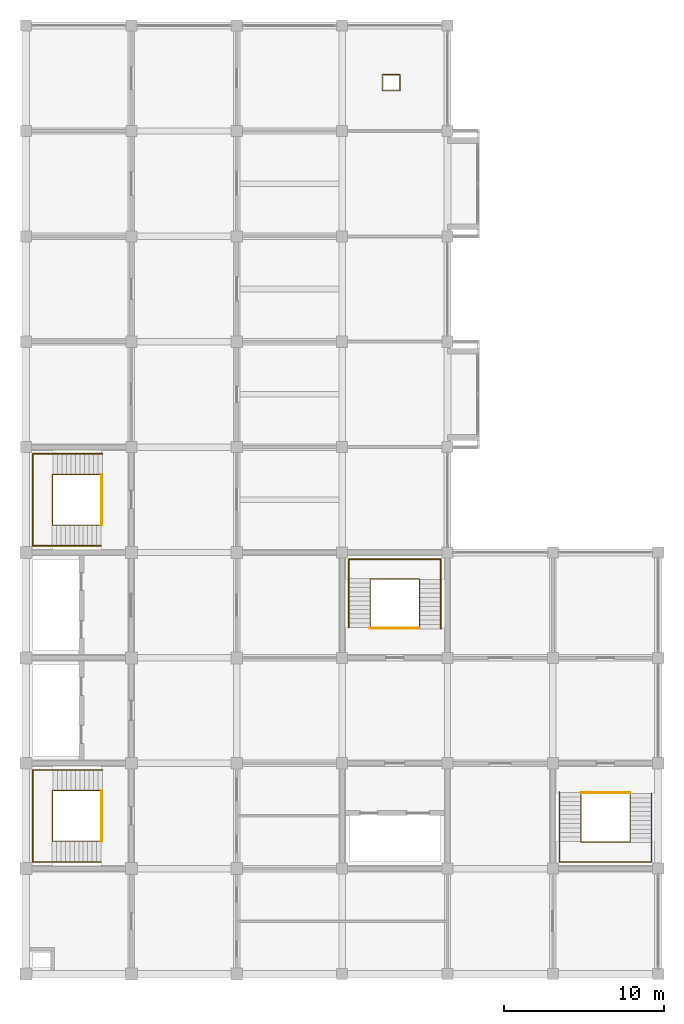
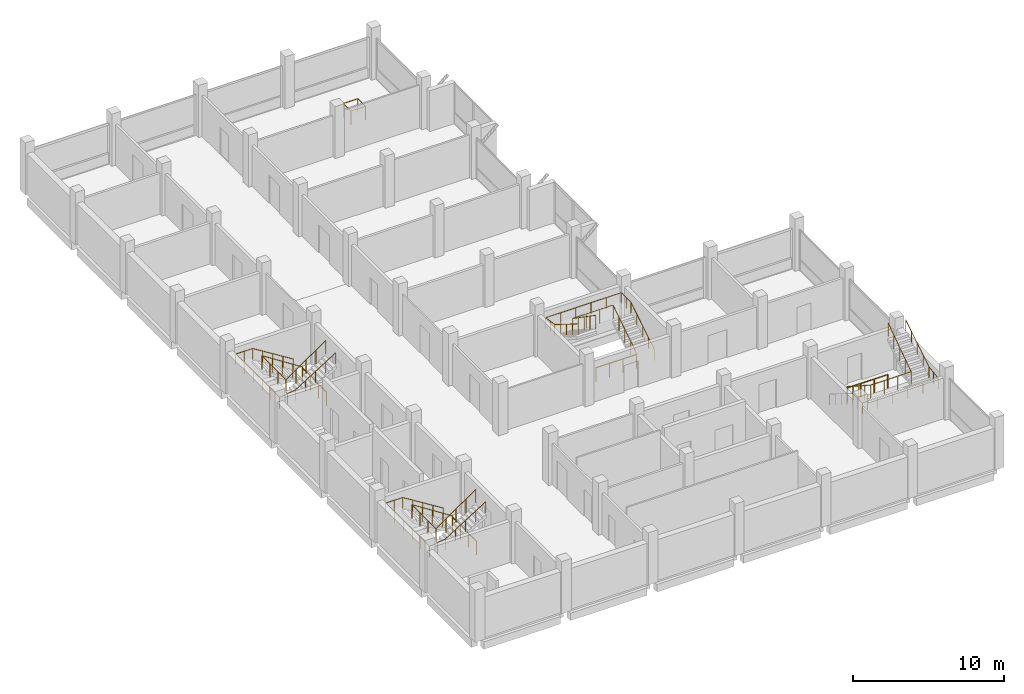
# One storey, part 10 of 10: 13 railings.
"""IFC4 building model written with IfcOpenShell, lengths in metres."""

from ifc_helpers import new_model, si_unit, direction, frame, origin, origin_2d, place, context, subcontext, project, spatial, circle, extrude, material, type_object, element, save


model = new_model("IFC4")

# Units and contexts
model_context = context("Model", 3, precision=1e-05, world=origin(), true_north=direction((0.0, 1.0)))
body_context = subcontext(model_context, "Body", "Model", "MODEL_VIEW")
ifc_project = project(units=[si_unit("LENGTHUNIT", "METRE"), si_unit("AREAUNIT", "SQUARE_METRE"), si_unit("VOLUMEUNIT", "CUBIC_METRE"), si_unit("PLANEANGLEUNIT", "RADIAN"), si_unit("MASSUNIT", "GRAM", prefix="KILO")], contexts=[model_context])

# Site, building, storey
site_placement = place(None, origin())
site = spatial("IfcSite", under=ifc_project, at=site_placement, CompositionType="ELEMENT")
building_placement = place(site_placement, origin())
building = spatial("IfcBuilding", under=site, at=building_placement, Name="Rusizi Kubbe Research Institute", CompositionType="ELEMENT")
storey_placement = place(building_placement, frame((0.0, 0.0, 48.0)))
storey = spatial("IfcBuildingStorey", under=building, at=storey_placement, Name="L11", CompositionType="ELEMENT", Elevation=48.0)

# Railings
ifc_material_1 = material(Name="Painted Steel Stair Guard", Category="steel")
railing_type_1 = type_object("IfcRailingType", Name="GR-STAIR", PredefinedType="GUARDRAIL", material=ifc_material_1)
railing_1_placement = place(storey_placement, frame((4.780029296875, 11.489990234375, 0.08740234375)))
element("IfcRailing", 1, at=railing_1_placement, inside=storey, type_object=railing_type_1, Name="Stair Inner Well Guard ST1 L11", PredefinedType="GUARDRAIL", context=body_context, shape_type="SweptSolid", body=[
    extrude(circle(Radius=0.02392578125, at=origin_2d()), frame((0.0, 0.0, 1.09619140625), z_axis=(-0.840331431664, 0.0, 0.542072951693), x_axis=(0.0, -1.0, 0.0)), (0.0, 0.0, 1.0), 3.712890625),
    extrude(circle(Radius=0.02392578125, at=origin_2d()), frame((-3.1201171875, 0.0, 3.10888671875), z_axis=(0.0, -1.0, 0.0), x_axis=(1.0, 0.0, 0.0)), (0.0, 0.0, 1.0), 3.179931640625),
    extrude(circle(Radius=0.02392578125, at=origin_2d()), frame((-3.1201171875, -3.179931640625, 3.10888671875), z_axis=(0.822798317177, 0.0, 0.568333466595), x_axis=(0.0, 1.0, 0.0)), (0.0, 0.0, 1.0), 3.69482421875),
    extrude(circle(Radius=0.02099609375, at=origin_2d()), origin(), (0.0, 0.0, 1.0), 1.072021484375),
    extrude(circle(Radius=0.02099609375, at=origin_2d()), frame((-0.780029296875, 0.0, 0.503173828125)), (0.0, 0.0, 1.0), 1.072021484375),
    extrude(circle(Radius=0.02099609375, at=origin_2d()), frame((-1.56005859375, 0.0, 1.00634765625)), (0.0, 0.0, 1.0), 1.072021484375),
    extrude(circle(Radius=0.02099609375, at=origin_2d()), frame((-2.340087890625, 0.0, 1.509521484375)), (0.0, 0.0, 1.0), 1.072021484375),
    extrude(circle(Radius=0.02099609375, at=origin_2d()), frame((-3.1201171875, 0.0, 2.0126953125)), (0.0, 0.0, 1.0), 1.072021484375),
    extrude(circle(Radius=0.02099609375, at=origin_2d()), frame((-3.1201171875, -1.06005859375, 2.0126953125)), (0.0, 0.0, 1.0), 1.072021484375),
    extrude(circle(Radius=0.02099609375, at=origin_2d()), frame((-3.1201171875, -2.119873046875, 2.0126953125)), (0.0, 0.0, 1.0), 1.072021484375),
    extrude(circle(Radius=0.02099609375, at=origin_2d()), frame((-3.1201171875, -3.179931640625, 2.0126953125)), (0.0, 0.0, 1.0), 1.072021484375),
    extrude(circle(Radius=0.02099609375, at=origin_2d()), frame((-2.360107421875, -3.179931640625, 2.53759765625)), (0.0, 0.0, 1.0), 1.072021484375),
    extrude(circle(Radius=0.02099609375, at=origin_2d()), frame((-1.60009765625, -3.179931640625, 3.0625)), (0.0, 0.0, 1.0), 1.072021484375),
    extrude(circle(Radius=0.02099609375, at=origin_2d()), frame((-0.840087890625, -3.179931640625, 3.587646484375)), (0.0, 0.0, 1.0), 1.072021484375),
    extrude(circle(Radius=0.02099609375, at=origin_2d()), frame((-0.080078125, -3.179931640625, 4.112548828125)), (0.0, 0.0, 1.0), 1.072021484375),
])
railing_2_placement = place(storey_placement, frame((4.75, 11.489990234375, 0.0)))
element("IfcRailing", 2, at=railing_2_placement, inside=storey, type_object=railing_type_1, Name="Stair Floor Edge Guard ST1 L11", PredefinedType="GUARDRAIL", context=body_context, shape_type="SweptSolid", body=[
    extrude(circle(Radius=0.02392578125, at=origin_2d()), frame((0.0, 0.0, 1.09619140625), z_axis=(0.0, -1.0, 0.0), x_axis=(1.0, 0.0, 0.0)), (0.0, 0.0, 1.0), 3.179931640625),
    extrude(circle(Radius=0.02099609375, at=origin_2d()), origin(), (0.0, 0.0, 1.0), 1.072021484375),
    extrude(circle(Radius=0.02099609375, at=origin_2d()), frame((0.0, -1.06005859375, 0.0)), (0.0, 0.0, 1.0), 1.072021484375),
    extrude(circle(Radius=0.02099609375, at=origin_2d()), frame((0.0, -2.119873046875, 0.0)), (0.0, 0.0, 1.0), 1.072021484375),
    extrude(circle(Radius=0.02099609375, at=origin_2d()), frame((0.0, -3.179931640625, 0.0)), (0.0, 0.0, 1.0), 1.072021484375),
])
railing_3_placement = place(storey_placement, frame((4.780029296875, 31.2900390625, 0.08740234375)))
element("IfcRailing", 3, at=railing_3_placement, inside=storey, type_object=railing_type_1, Name="Stair Inner Well Guard ST2 L11", PredefinedType="GUARDRAIL", context=body_context, shape_type="SweptSolid", body=[
    extrude(circle(Radius=0.02392578125, at=origin_2d()), frame((0.0, 0.0, 1.09619140625), z_axis=(-0.840331431664, 0.0, 0.542072951693), x_axis=(0.0, -1.0, 0.0)), (0.0, 0.0, 1.0), 3.712890625),
    extrude(circle(Radius=0.02392578125, at=origin_2d()), frame((-3.1201171875, 0.0, 3.10888671875), z_axis=(0.0, -1.0, 0.0), x_axis=(1.0, 0.0, 0.0)), (0.0, 0.0, 1.0), 3.179931640625),
    extrude(circle(Radius=0.02392578125, at=origin_2d()), frame((-3.1201171875, -3.179931640625, 3.10888671875), z_axis=(0.822798317177, 0.0, 0.568333466595), x_axis=(0.0, 1.0, 0.0)), (0.0, 0.0, 1.0), 3.69482421875),
    extrude(circle(Radius=0.02099609375, at=origin_2d()), origin(), (0.0, 0.0, 1.0), 1.072021484375),
    extrude(circle(Radius=0.02099609375, at=origin_2d()), frame((-0.780029296875, 0.0, 0.503173828125)), (0.0, 0.0, 1.0), 1.072021484375),
    extrude(circle(Radius=0.02099609375, at=origin_2d()), frame((-1.56005859375, 0.0, 1.00634765625)), (0.0, 0.0, 1.0), 1.072021484375),
    extrude(circle(Radius=0.02099609375, at=origin_2d()), frame((-2.340087890625, 0.0, 1.509521484375)), (0.0, 0.0, 1.0), 1.072021484375),
    extrude(circle(Radius=0.02099609375, at=origin_2d()), frame((-3.1201171875, 0.0, 2.0126953125)), (0.0, 0.0, 1.0), 1.072021484375),
    extrude(circle(Radius=0.02099609375, at=origin_2d()), frame((-3.1201171875, -1.06005859375, 2.0126953125)), (0.0, 0.0, 1.0), 1.072021484375),
    extrude(circle(Radius=0.02099609375, at=origin_2d()), frame((-3.1201171875, -2.119873046875, 2.0126953125)), (0.0, 0.0, 1.0), 1.072021484375),
    extrude(circle(Radius=0.02099609375, at=origin_2d()), frame((-3.1201171875, -3.179931640625, 2.0126953125)), (0.0, 0.0, 1.0), 1.072021484375),
    extrude(circle(Radius=0.02099609375, at=origin_2d()), frame((-2.360107421875, -3.179931640625, 2.53759765625)), (0.0, 0.0, 1.0), 1.072021484375),
    extrude(circle(Radius=0.02099609375, at=origin_2d()), frame((-1.60009765625, -3.179931640625, 3.0625)), (0.0, 0.0, 1.0), 1.072021484375),
    extrude(circle(Radius=0.02099609375, at=origin_2d()), frame((-0.840087890625, -3.179931640625, 3.587646484375)), (0.0, 0.0, 1.0), 1.072021484375),
    extrude(circle(Radius=0.02099609375, at=origin_2d()), frame((-0.080078125, -3.179931640625, 4.112548828125)), (0.0, 0.0, 1.0), 1.072021484375),
])
railing_4_placement = place(storey_placement, frame((4.75, 31.2900390625, 0.0)))
element("IfcRailing", 4, at=railing_4_placement, inside=storey, type_object=railing_type_1, Name="Stair Floor Edge Guard ST2 L11", PredefinedType="GUARDRAIL", context=body_context, shape_type="SweptSolid", body=[
    extrude(circle(Radius=0.02392578125, at=origin_2d()), frame((0.0, 0.0, 1.09619140625), z_axis=(0.0, -1.0, 0.0), x_axis=(1.0, 0.0, 0.0)), (0.0, 0.0, 1.0), 3.179931640625),
    extrude(circle(Radius=0.02099609375, at=origin_2d()), origin(), (0.0, 0.0, 1.0), 1.072021484375),
    extrude(circle(Radius=0.02099609375, at=origin_2d()), frame((0.0, -1.06005859375, 0.0)), (0.0, 0.0, 1.0), 1.072021484375),
    extrude(circle(Radius=0.02099609375, at=origin_2d()), frame((0.0, -2.119873046875, 0.0)), (0.0, 0.0, 1.0), 1.072021484375),
    extrude(circle(Radius=0.02099609375, at=origin_2d()), frame((0.0, -3.179931640625, 0.0)), (0.0, 0.0, 1.0), 1.072021484375),
])
railing_5_placement = place(storey_placement, frame((24.639892578125, 21.6201171875, 0.08740234375)))
element("IfcRailing", 5, at=railing_5_placement, inside=storey, type_object=railing_type_1, Name="Stair Inner Well Guard ST3 L11", PredefinedType="GUARDRAIL", context=body_context, shape_type="SweptSolid", body=[
    extrude(circle(Radius=0.02392578125, at=origin_2d()), frame((0.0, 0.0, 1.09619140625), z_axis=(0.0, 0.840312108812, 0.542102905161), x_axis=(-1.0, 0.0, 0.0)), (0.0, 0.0, 1.0), 3.712646484375),
    extrude(circle(Radius=0.02392578125, at=origin_2d()), frame((0.0, 3.119873046875, 3.10888671875), z_axis=(-1.0, 0.0, 0.0), x_axis=(0.0, -1.0, 0.0)), (0.0, 0.0, 1.0), 3.079833984375),
    extrude(circle(Radius=0.02392578125, at=origin_2d()), frame((-3.079833984375, 3.119873046875, 3.10888671875), z_axis=(0.0, -0.822798317177, 0.568333466595), x_axis=(1.0, 0.0, 0.0)), (0.0, 0.0, 1.0), 3.69482421875),
    extrude(circle(Radius=0.02099609375, at=origin_2d()), origin(), (0.0, 0.0, 1.0), 1.072021484375),
    extrude(circle(Radius=0.02099609375, at=origin_2d()), frame((0.0, 0.780029296875, 0.503173828125)), (0.0, 0.0, 1.0), 1.072021484375),
    extrude(circle(Radius=0.02099609375, at=origin_2d()), frame((0.0, 1.56005859375, 1.00634765625)), (0.0, 0.0, 1.0), 1.072021484375),
    extrude(circle(Radius=0.02099609375, at=origin_2d()), frame((0.0, 2.33984375, 1.509521484375)), (0.0, 0.0, 1.0), 1.072021484375),
    extrude(circle(Radius=0.02099609375, at=origin_2d()), frame((0.0, 3.119873046875, 2.0126953125)), (0.0, 0.0, 1.0), 1.072021484375),
    extrude(circle(Radius=0.02099609375, at=origin_2d()), frame((-1.026611328125, 3.119873046875, 2.0126953125)), (0.0, 0.0, 1.0), 1.072021484375),
    extrude(circle(Radius=0.02099609375, at=origin_2d()), frame((-2.05322265625, 3.119873046875, 2.0126953125)), (0.0, 0.0, 1.0), 1.072021484375),
    extrude(circle(Radius=0.02099609375, at=origin_2d()), frame((-3.079833984375, 3.119873046875, 2.0126953125)), (0.0, 0.0, 1.0), 1.072021484375),
    extrude(circle(Radius=0.02099609375, at=origin_2d()), frame((-3.079833984375, 2.35986328125, 2.53759765625)), (0.0, 0.0, 1.0), 1.072021484375),
    extrude(circle(Radius=0.02099609375, at=origin_2d()), frame((-3.079833984375, 1.599853515625, 3.0625)), (0.0, 0.0, 1.0), 1.072021484375),
    extrude(circle(Radius=0.02099609375, at=origin_2d()), frame((-3.079833984375, 0.83984375, 3.587646484375)), (0.0, 0.0, 1.0), 1.072021484375),
    extrude(circle(Radius=0.02099609375, at=origin_2d()), frame((-3.079833984375, 0.079833984375, 4.112548828125)), (0.0, 0.0, 1.0), 1.072021484375),
])
railing_6_placement = place(storey_placement, frame((24.639892578125, 21.64990234375, 0.0)))
element("IfcRailing", 6, at=railing_6_placement, inside=storey, type_object=railing_type_1, Name="Stair Floor Edge Guard ST3 L11", PredefinedType="GUARDRAIL", context=body_context, shape_type="SweptSolid", body=[
    extrude(circle(Radius=0.02392578125, at=origin_2d()), frame((0.0, 0.0, 1.09619140625), z_axis=(-1.0, 0.0, 0.0), x_axis=(0.0, -1.0, 0.0)), (0.0, 0.0, 1.0), 3.079833984375),
    extrude(circle(Radius=0.02099609375, at=origin_2d()), origin(), (0.0, 0.0, 1.0), 1.072021484375),
    extrude(circle(Radius=0.02099609375, at=origin_2d()), frame((-1.026611328125, 0.0, 0.0)), (0.0, 0.0, 1.0), 1.072021484375),
    extrude(circle(Radius=0.02099609375, at=origin_2d()), frame((-2.05322265625, 0.0, 0.0)), (0.0, 0.0, 1.0), 1.072021484375),
    extrude(circle(Radius=0.02099609375, at=origin_2d()), frame((-3.079833984375, 0.0, 0.0)), (0.0, 0.0, 1.0), 1.072021484375),
])
railing_7_placement = place(storey_placement, frame((34.760009765625, 11.3798828125, 0.08740234375)))
element("IfcRailing", 7, at=railing_7_placement, inside=storey, type_object=railing_type_1, Name="Stair Inner Well Guard ST4 L11", PredefinedType="GUARDRAIL", context=body_context, shape_type="SweptSolid", body=[
    extrude(circle(Radius=0.02392578125, at=origin_2d()), frame((0.0, 0.0, 1.09619140625), z_axis=(0.0, -0.840312108812, 0.542102905161), x_axis=(1.0, 0.0, 0.0)), (0.0, 0.0, 1.0), 3.712646484375),
    extrude(circle(Radius=0.02392578125, at=origin_2d()), frame((0.0, -3.119873046875, 3.10888671875), z_axis=(1.0, 0.0, 0.0), x_axis=(0.0, 1.0, 0.0)), (0.0, 0.0, 1.0), 3.080078125),
    extrude(circle(Radius=0.02392578125, at=origin_2d()), frame((3.080078125, -3.119873046875, 3.10888671875), z_axis=(0.0, 0.822798317177, 0.568333466595), x_axis=(-1.0, 0.0, 0.0)), (0.0, 0.0, 1.0), 3.69482421875),
    extrude(circle(Radius=0.02099609375, at=origin_2d()), origin(), (0.0, 0.0, 1.0), 1.072021484375),
    extrude(circle(Radius=0.02099609375, at=origin_2d()), frame((0.0, -0.780029296875, 0.503173828125)), (0.0, 0.0, 1.0), 1.072021484375),
    extrude(circle(Radius=0.02099609375, at=origin_2d()), frame((0.0, -1.56005859375, 1.00634765625)), (0.0, 0.0, 1.0), 1.072021484375),
    extrude(circle(Radius=0.02099609375, at=origin_2d()), frame((0.0, -2.33984375, 1.509521484375)), (0.0, 0.0, 1.0), 1.072021484375),
    extrude(circle(Radius=0.02099609375, at=origin_2d()), frame((0.0, -3.119873046875, 2.0126953125)), (0.0, 0.0, 1.0), 1.072021484375),
    extrude(circle(Radius=0.02099609375, at=origin_2d()), frame((1.026611328125, -3.119873046875, 2.0126953125)), (0.0, 0.0, 1.0), 1.072021484375),
    extrude(circle(Radius=0.02099609375, at=origin_2d()), frame((2.053466796875, -3.119873046875, 2.0126953125)), (0.0, 0.0, 1.0), 1.072021484375),
    extrude(circle(Radius=0.02099609375, at=origin_2d()), frame((3.080078125, -3.119873046875, 2.0126953125)), (0.0, 0.0, 1.0), 1.072021484375),
    extrude(circle(Radius=0.02099609375, at=origin_2d()), frame((3.080078125, -2.35986328125, 2.53759765625)), (0.0, 0.0, 1.0), 1.072021484375),
    extrude(circle(Radius=0.02099609375, at=origin_2d()), frame((3.080078125, -1.599853515625, 3.0625)), (0.0, 0.0, 1.0), 1.072021484375),
    extrude(circle(Radius=0.02099609375, at=origin_2d()), frame((3.080078125, -0.83984375, 3.587646484375)), (0.0, 0.0, 1.0), 1.072021484375),
    extrude(circle(Radius=0.02099609375, at=origin_2d()), frame((3.080078125, -0.079833984375, 4.112548828125)), (0.0, 0.0, 1.0), 1.072021484375),
])
railing_8_placement = place(storey_placement, frame((34.760009765625, 11.35009765625, 0.0)))
element("IfcRailing", 8, at=railing_8_placement, inside=storey, type_object=railing_type_1, Name="Stair Floor Edge Guard ST4 L11", PredefinedType="GUARDRAIL", context=body_context, shape_type="SweptSolid", body=[
    extrude(circle(Radius=0.02392578125, at=origin_2d()), frame((0.0, 0.0, 1.09619140625), z_axis=(1.0, 0.0, 0.0), x_axis=(0.0, 1.0, 0.0)), (0.0, 0.0, 1.0), 3.080078125),
    extrude(circle(Radius=0.02099609375, at=origin_2d()), origin(), (0.0, 0.0, 1.0), 1.072021484375),
    extrude(circle(Radius=0.02099609375, at=origin_2d()), frame((1.026611328125, 0.0, 0.0)), (0.0, 0.0, 1.0), 1.072021484375),
    extrude(circle(Radius=0.02099609375, at=origin_2d()), frame((2.053466796875, 0.0, 0.0)), (0.0, 0.0, 1.0), 1.072021484375),
    extrude(circle(Radius=0.02099609375, at=origin_2d()), frame((3.080078125, 0.0, 0.0)), (0.0, 0.0, 1.0), 1.072021484375),
])
railing_9_placement = place(storey_placement, frame((22.320068359375, 55.320068359375, 0.0)))
element("IfcRailing", 9, at=railing_9_placement, inside=storey, type_object=railing_type_1, Name="Service Riser Guard L11 NORTHA", PredefinedType="GUARDRAIL", context=body_context, shape_type="SweptSolid", body=[
    extrude(circle(Radius=0.02392578125, at=origin_2d()), frame((0.0, 0.0, 1.09619140625), z_axis=(1.0, 0.0, 0.0), x_axis=(0.0, 1.0, 0.0)), (0.0, 0.0, 1.0), 1.10986328125),
    extrude(circle(Radius=0.02392578125, at=origin_2d()), frame((1.10986328125, 0.0, 1.09619140625), z_axis=(0.0, 1.0, 0.0), x_axis=(-1.0, 0.0, 0.0)), (0.0, 0.0, 1.0), 1.010009765625),
    extrude(circle(Radius=0.02392578125, at=origin_2d()), frame((1.10986328125, 1.010009765625, 1.09619140625), z_axis=(-1.0, 0.0, 0.0), x_axis=(0.0, -1.0, 0.0)), (0.0, 0.0, 1.0), 1.10986328125),
    extrude(circle(Radius=0.02392578125, at=origin_2d()), frame((0.0, 1.010009765625, 1.09619140625), z_axis=(0.0, -1.0, 0.0), x_axis=(1.0, 0.0, 0.0)), (0.0, 0.0, 1.0), 1.010009765625),
    extrude(circle(Radius=0.02099609375, at=origin_2d()), origin(), (0.0, 0.0, 1.0), 1.072021484375),
    extrude(circle(Radius=0.02099609375, at=origin_2d()), frame((1.10986328125, 0.0, 0.0)), (0.0, 0.0, 1.0), 1.072021484375),
    extrude(circle(Radius=0.02099609375, at=origin_2d()), frame((1.10986328125, 1.010009765625, 0.0)), (0.0, 0.0, 1.0), 1.072021484375),
    extrude(circle(Radius=0.02099609375, at=origin_2d()), frame((0.0, 1.010009765625, 0.0)), (0.0, 0.0, 1.0), 1.072021484375),
])
ifc_material_2 = material(Name="Brushed Stainless Steel Handrail", Category="steel")
railing_type_2 = type_object("IfcRailingType", Name="HR-STAIR", PredefinedType="HANDRAIL", material=ifc_material_2)
railing_10_placement = place(storey_placement, frame((4.780029296875, 12.780029296875, 0.175048828125)))
element("IfcRailing", 10, at=railing_10_placement, inside=storey, type_object=railing_type_2, Name="Stair Wall Handrail ST1 L11", PredefinedType="HANDRAIL", context=body_context, shape_type="SweptSolid", body=[
    extrude(circle(Radius=0.02392578125, at=origin_2d()), frame((0.0, 0.0, 0.8759765625), z_axis=(-0.847998304005, 0.0, 0.529998940003), x_axis=(0.0, -1.0, 0.0)), (0.0, 0.0, 1.0), 3.632080078125),
    extrude(circle(Radius=0.02392578125, at=origin_2d()), frame((-3.080078125, 0.0, 2.80078125), z_axis=(-1.0, 0.0, 0.0), x_axis=(0.0, -1.0, 0.0)), (0.0, 0.0, 1.0), 1.280029296875),
    extrude(circle(Radius=0.02392578125, at=origin_2d()), frame((-4.360107421875, 0.0, 2.80078125), z_axis=(0.0, -1.0, 0.0), x_axis=(1.0, 0.0, 0.0)), (0.0, 0.0, 1.0), 5.760009765625),
    extrude(circle(Radius=0.02392578125, at=origin_2d()), frame((-4.360107421875, -5.760009765625, 2.80078125), z_axis=(0.98965895042, 0.0, 0.143440447065), x_axis=(0.0, 1.0, 0.0)), (0.0, 0.0, 1.0), 1.21875),
    extrude(circle(Radius=0.02392578125, at=origin_2d()), frame((-3.154052734375, -5.760009765625, 2.9755859375), z_axis=(0.847525270172, 0.0, 0.530755043706), x_axis=(0.0, 1.0, 0.0)), (0.0, 0.0, 1.0), 3.626953125),
    extrude(circle(Radius=0.02099609375, at=origin_2d()), origin(), (0.0, 0.0, 1.0), 0.851806640625),
    extrude(circle(Radius=0.02099609375, at=origin_2d()), frame((-0.77001953125, 0.0, 0.481201171875)), (0.0, 0.0, 1.0), 0.851806640625),
    extrude(circle(Radius=0.02099609375, at=origin_2d()), frame((-1.5400390625, 0.0, 0.96240234375)), (0.0, 0.0, 1.0), 0.851806640625),
    extrude(circle(Radius=0.02099609375, at=origin_2d()), frame((-2.31005859375, 0.0, 1.44384765625)), (0.0, 0.0, 1.0), 0.851806640625),
    extrude(circle(Radius=0.02099609375, at=origin_2d()), frame((-3.080078125, 0.0, 1.925048828125)), (0.0, 0.0, 1.0), 0.851806640625),
    extrude(circle(Radius=0.02099609375, at=origin_2d()), frame((-3.72021484375, 0.0, 1.925048828125)), (0.0, 0.0, 1.0), 0.851806640625),
    extrude(circle(Radius=0.02099609375, at=origin_2d()), frame((-4.360107421875, 0.0, 1.925048828125)), (0.0, 0.0, 1.0), 0.851806640625),
    extrude(circle(Radius=0.02099609375, at=origin_2d()), frame((-4.360107421875, -1.152099609375, 1.925048828125)), (0.0, 0.0, 1.0), 0.851806640625),
    extrude(circle(Radius=0.02099609375, at=origin_2d()), frame((-4.360107421875, -2.303955078125, 1.925048828125)), (0.0, 0.0, 1.0), 0.851806640625),
    extrude(circle(Radius=0.02099609375, at=origin_2d()), frame((-4.360107421875, -3.4560546875, 1.925048828125)), (0.0, 0.0, 1.0), 0.851806640625),
    extrude(circle(Radius=0.02099609375, at=origin_2d()), frame((-4.360107421875, -4.60791015625, 1.925048828125)), (0.0, 0.0, 1.0), 0.851806640625),
    extrude(circle(Radius=0.02099609375, at=origin_2d()), frame((-4.360107421875, -5.760009765625, 1.925048828125)), (0.0, 0.0, 1.0), 0.851806640625),
    extrude(circle(Radius=0.02099609375, at=origin_2d()), frame((-3.757080078125, -5.760009765625, 2.012451171875)), (0.0, 0.0, 1.0), 0.851806640625),
    extrude(circle(Radius=0.02099609375, at=origin_2d()), frame((-3.154052734375, -5.760009765625, 2.099853515625)), (0.0, 0.0, 1.0), 0.851806640625),
    extrude(circle(Radius=0.02099609375, at=origin_2d()), frame((-2.385498046875, -5.760009765625, 2.5810546875)), (0.0, 0.0, 1.0), 0.851806640625),
    extrude(circle(Radius=0.02099609375, at=origin_2d()), frame((-1.6171875, -5.760009765625, 3.0625)), (0.0, 0.0, 1.0), 0.851806640625),
    extrude(circle(Radius=0.02099609375, at=origin_2d()), frame((-0.8486328125, -5.760009765625, 3.543701171875)), (0.0, 0.0, 1.0), 0.851806640625),
    extrude(circle(Radius=0.02099609375, at=origin_2d()), frame((-0.080078125, -5.760009765625, 4.02490234375)), (0.0, 0.0, 1.0), 0.851806640625),
])
railing_11_placement = place(storey_placement, frame((4.780029296875, 32.580078125, 0.175048828125)))
element("IfcRailing", 11, at=railing_11_placement, inside=storey, type_object=railing_type_2, Name="Stair Wall Handrail ST2 L11", PredefinedType="HANDRAIL", context=body_context, shape_type="SweptSolid", body=[
    extrude(circle(Radius=0.02392578125, at=origin_2d()), frame((0.0, 0.0, 0.8759765625), z_axis=(-0.847998304005, 0.0, 0.529998940003), x_axis=(0.0, -1.0, 0.0)), (0.0, 0.0, 1.0), 3.632080078125),
    extrude(circle(Radius=0.02392578125, at=origin_2d()), frame((-3.080078125, 0.0, 2.80078125), z_axis=(-1.0, 0.0, 0.0), x_axis=(0.0, -1.0, 0.0)), (0.0, 0.0, 1.0), 1.280029296875),
    extrude(circle(Radius=0.02392578125, at=origin_2d()), frame((-4.360107421875, 0.0, 2.80078125), z_axis=(0.0, -1.0, 0.0), x_axis=(1.0, 0.0, 0.0)), (0.0, 0.0, 1.0), 5.760009765625),
    extrude(circle(Radius=0.02392578125, at=origin_2d()), frame((-4.360107421875, -5.760009765625, 2.80078125), z_axis=(0.98965895042, 0.0, 0.143440447065), x_axis=(0.0, 1.0, 0.0)), (0.0, 0.0, 1.0), 1.21875),
    extrude(circle(Radius=0.02392578125, at=origin_2d()), frame((-3.154052734375, -5.760009765625, 2.9755859375), z_axis=(0.847525270172, 0.0, 0.530755043706), x_axis=(0.0, 1.0, 0.0)), (0.0, 0.0, 1.0), 3.626953125),
    extrude(circle(Radius=0.02099609375, at=origin_2d()), origin(), (0.0, 0.0, 1.0), 0.851806640625),
    extrude(circle(Radius=0.02099609375, at=origin_2d()), frame((-0.77001953125, 0.0, 0.481201171875)), (0.0, 0.0, 1.0), 0.851806640625),
    extrude(circle(Radius=0.02099609375, at=origin_2d()), frame((-1.5400390625, 0.0, 0.96240234375)), (0.0, 0.0, 1.0), 0.851806640625),
    extrude(circle(Radius=0.02099609375, at=origin_2d()), frame((-2.31005859375, 0.0, 1.44384765625)), (0.0, 0.0, 1.0), 0.851806640625),
    extrude(circle(Radius=0.02099609375, at=origin_2d()), frame((-3.080078125, 0.0, 1.925048828125)), (0.0, 0.0, 1.0), 0.851806640625),
    extrude(circle(Radius=0.02099609375, at=origin_2d()), frame((-3.72021484375, 0.0, 1.925048828125)), (0.0, 0.0, 1.0), 0.851806640625),
    extrude(circle(Radius=0.02099609375, at=origin_2d()), frame((-4.360107421875, 0.0, 1.925048828125)), (0.0, 0.0, 1.0), 0.851806640625),
    extrude(circle(Radius=0.02099609375, at=origin_2d()), frame((-4.360107421875, -1.152099609375, 1.925048828125)), (0.0, 0.0, 1.0), 0.851806640625),
    extrude(circle(Radius=0.02099609375, at=origin_2d()), frame((-4.360107421875, -2.303955078125, 1.925048828125)), (0.0, 0.0, 1.0), 0.851806640625),
    extrude(circle(Radius=0.02099609375, at=origin_2d()), frame((-4.360107421875, -3.4560546875, 1.925048828125)), (0.0, 0.0, 1.0), 0.851806640625),
    extrude(circle(Radius=0.02099609375, at=origin_2d()), frame((-4.360107421875, -4.60791015625, 1.925048828125)), (0.0, 0.0, 1.0), 0.851806640625),
    extrude(circle(Radius=0.02099609375, at=origin_2d()), frame((-4.360107421875, -5.760009765625, 1.925048828125)), (0.0, 0.0, 1.0), 0.851806640625),
    extrude(circle(Radius=0.02099609375, at=origin_2d()), frame((-3.757080078125, -5.760009765625, 2.012451171875)), (0.0, 0.0, 1.0), 0.851806640625),
    extrude(circle(Radius=0.02099609375, at=origin_2d()), frame((-3.154052734375, -5.760009765625, 2.099853515625)), (0.0, 0.0, 1.0), 0.851806640625),
    extrude(circle(Radius=0.02099609375, at=origin_2d()), frame((-2.385498046875, -5.760009765625, 2.5810546875)), (0.0, 0.0, 1.0), 0.851806640625),
    extrude(circle(Radius=0.02099609375, at=origin_2d()), frame((-1.6171875, -5.760009765625, 3.0625)), (0.0, 0.0, 1.0), 0.851806640625),
    extrude(circle(Radius=0.02099609375, at=origin_2d()), frame((-0.8486328125, -5.760009765625, 3.543701171875)), (0.0, 0.0, 1.0), 0.851806640625),
    extrude(circle(Radius=0.02099609375, at=origin_2d()), frame((-0.080078125, -5.760009765625, 4.02490234375)), (0.0, 0.0, 1.0), 0.851806640625),
])
railing_12_placement = place(storey_placement, frame((25.97998046875, 21.6201171875, 0.175048828125)))
element("IfcRailing", 12, at=railing_12_placement, inside=storey, type_object=railing_type_2, Name="Stair Wall Handrail ST3 L11", PredefinedType="HANDRAIL", context=body_context, shape_type="SweptSolid", body=[
    extrude(circle(Radius=0.02392578125, at=origin_2d()), frame((0.0, 0.0, 0.8759765625), z_axis=(0.0, 0.847979421464, 0.530029150871), x_axis=(-1.0, 0.0, 0.0)), (0.0, 0.0, 1.0), 3.632080078125),
    extrude(circle(Radius=0.02392578125, at=origin_2d()), frame((0.0, 3.079833984375, 2.80078125), z_axis=(0.0, 1.0, 0.0), x_axis=(-1.0, 0.0, 0.0)), (0.0, 0.0, 1.0), 1.280029296875),
    extrude(circle(Radius=0.02392578125, at=origin_2d()), frame((0.0, 4.35986328125, 2.80078125), z_axis=(-1.0, 0.0, 0.0), x_axis=(0.0, -1.0, 0.0)), (0.0, 0.0, 1.0), 5.760009765625),
    extrude(circle(Radius=0.02392578125, at=origin_2d()), frame((-5.760009765625, 4.35986328125, 2.80078125), z_axis=(0.0, -0.98965895042, 0.143440447065), x_axis=(1.0, 0.0, 0.0)), (0.0, 0.0, 1.0), 1.21875),
    extrude(circle(Radius=0.02392578125, at=origin_2d()), frame((-5.760009765625, 3.15380859375, 2.9755859375), z_axis=(0.0, -0.847525270172, 0.530755043706), x_axis=(1.0, 0.0, 0.0)), (0.0, 0.0, 1.0), 3.626953125),
    extrude(circle(Radius=0.02099609375, at=origin_2d()), origin(), (0.0, 0.0, 1.0), 0.851806640625),
    extrude(circle(Radius=0.02099609375, at=origin_2d()), frame((0.0, 0.77001953125, 0.481201171875)), (0.0, 0.0, 1.0), 0.851806640625),
    extrude(circle(Radius=0.02099609375, at=origin_2d()), frame((0.0, 1.5400390625, 0.96240234375)), (0.0, 0.0, 1.0), 0.851806640625),
    extrude(circle(Radius=0.02099609375, at=origin_2d()), frame((0.0, 2.309814453125, 1.44384765625)), (0.0, 0.0, 1.0), 0.851806640625),
    extrude(circle(Radius=0.02099609375, at=origin_2d()), frame((0.0, 3.079833984375, 1.925048828125)), (0.0, 0.0, 1.0), 0.851806640625),
    extrude(circle(Radius=0.02099609375, at=origin_2d()), frame((0.0, 3.7197265625, 1.925048828125)), (0.0, 0.0, 1.0), 0.851806640625),
    extrude(circle(Radius=0.02099609375, at=origin_2d()), frame((0.0, 4.35986328125, 1.925048828125)), (0.0, 0.0, 1.0), 0.851806640625),
    extrude(circle(Radius=0.02099609375, at=origin_2d()), frame((-1.152099609375, 4.35986328125, 1.925048828125)), (0.0, 0.0, 1.0), 0.851806640625),
    extrude(circle(Radius=0.02099609375, at=origin_2d()), frame((-2.303955078125, 4.35986328125, 1.925048828125)), (0.0, 0.0, 1.0), 0.851806640625),
    extrude(circle(Radius=0.02099609375, at=origin_2d()), frame((-3.4560546875, 4.35986328125, 1.925048828125)), (0.0, 0.0, 1.0), 0.851806640625),
    extrude(circle(Radius=0.02099609375, at=origin_2d()), frame((-4.60791015625, 4.35986328125, 1.925048828125)), (0.0, 0.0, 1.0), 0.851806640625),
    extrude(circle(Radius=0.02099609375, at=origin_2d()), frame((-5.760009765625, 4.35986328125, 1.925048828125)), (0.0, 0.0, 1.0), 0.851806640625),
    extrude(circle(Radius=0.02099609375, at=origin_2d()), frame((-5.760009765625, 3.7568359375, 2.012451171875)), (0.0, 0.0, 1.0), 0.851806640625),
    extrude(circle(Radius=0.02099609375, at=origin_2d()), frame((-5.760009765625, 3.15380859375, 2.099853515625)), (0.0, 0.0, 1.0), 0.851806640625),
    extrude(circle(Radius=0.02099609375, at=origin_2d()), frame((-5.760009765625, 2.38525390625, 2.5810546875)), (0.0, 0.0, 1.0), 0.851806640625),
    extrude(circle(Radius=0.02099609375, at=origin_2d()), frame((-5.760009765625, 1.61669921875, 3.0625)), (0.0, 0.0, 1.0), 0.851806640625),
    extrude(circle(Radius=0.02099609375, at=origin_2d()), frame((-5.760009765625, 0.848388671875, 3.543701171875)), (0.0, 0.0, 1.0), 0.851806640625),
    extrude(circle(Radius=0.02099609375, at=origin_2d()), frame((-5.760009765625, 0.079833984375, 4.02490234375)), (0.0, 0.0, 1.0), 0.851806640625),
])
railing_13_placement = place(storey_placement, frame((33.419921875, 11.3798828125, 0.175048828125)))
element("IfcRailing", 13, at=railing_13_placement, inside=storey, type_object=railing_type_2, Name="Stair Wall Handrail ST4 L11", PredefinedType="HANDRAIL", context=body_context, shape_type="SweptSolid", body=[
    extrude(circle(Radius=0.02392578125, at=origin_2d()), frame((0.0, 0.0, 0.8759765625), z_axis=(0.0, -0.847979421464, 0.530029150871), x_axis=(1.0, 0.0, 0.0)), (0.0, 0.0, 1.0), 3.632080078125),
    extrude(circle(Radius=0.02392578125, at=origin_2d()), frame((0.0, -3.079833984375, 2.80078125), z_axis=(0.0, -1.0, 0.0), x_axis=(1.0, 0.0, 0.0)), (0.0, 0.0, 1.0), 1.280029296875),
    extrude(circle(Radius=0.02392578125, at=origin_2d()), frame((0.0, -4.35986328125, 2.80078125), z_axis=(1.0, 0.0, 0.0), x_axis=(0.0, 1.0, 0.0)), (0.0, 0.0, 1.0), 5.760009765625),
    extrude(circle(Radius=0.02392578125, at=origin_2d()), frame((5.760009765625, -4.35986328125, 2.80078125), z_axis=(0.0, 0.98965895042, 0.143440447065), x_axis=(-1.0, 0.0, 0.0)), (0.0, 0.0, 1.0), 1.21875),
    extrude(circle(Radius=0.02392578125, at=origin_2d()), frame((5.760009765625, -3.15380859375, 2.9755859375), z_axis=(0.0, 0.847525270172, 0.530755043706), x_axis=(-1.0, 0.0, 0.0)), (0.0, 0.0, 1.0), 3.626953125),
    extrude(circle(Radius=0.02099609375, at=origin_2d()), origin(), (0.0, 0.0, 1.0), 0.851806640625),
    extrude(circle(Radius=0.02099609375, at=origin_2d()), frame((0.0, -0.77001953125, 0.481201171875)), (0.0, 0.0, 1.0), 0.851806640625),
    extrude(circle(Radius=0.02099609375, at=origin_2d()), frame((0.0, -1.5400390625, 0.96240234375)), (0.0, 0.0, 1.0), 0.851806640625),
    extrude(circle(Radius=0.02099609375, at=origin_2d()), frame((0.0, -2.309814453125, 1.44384765625)), (0.0, 0.0, 1.0), 0.851806640625),
    extrude(circle(Radius=0.02099609375, at=origin_2d()), frame((0.0, -3.079833984375, 1.925048828125)), (0.0, 0.0, 1.0), 0.851806640625),
    extrude(circle(Radius=0.02099609375, at=origin_2d()), frame((0.0, -3.7197265625, 1.925048828125)), (0.0, 0.0, 1.0), 0.851806640625),
    extrude(circle(Radius=0.02099609375, at=origin_2d()), frame((0.0, -4.35986328125, 1.925048828125)), (0.0, 0.0, 1.0), 0.851806640625),
    extrude(circle(Radius=0.02099609375, at=origin_2d()), frame((1.152099609375, -4.35986328125, 1.925048828125)), (0.0, 0.0, 1.0), 0.851806640625),
    extrude(circle(Radius=0.02099609375, at=origin_2d()), frame((2.303955078125, -4.35986328125, 1.925048828125)), (0.0, 0.0, 1.0), 0.851806640625),
    extrude(circle(Radius=0.02099609375, at=origin_2d()), frame((3.4560546875, -4.35986328125, 1.925048828125)), (0.0, 0.0, 1.0), 0.851806640625),
    extrude(circle(Radius=0.02099609375, at=origin_2d()), frame((4.60791015625, -4.35986328125, 1.925048828125)), (0.0, 0.0, 1.0), 0.851806640625),
    extrude(circle(Radius=0.02099609375, at=origin_2d()), frame((5.760009765625, -4.35986328125, 1.925048828125)), (0.0, 0.0, 1.0), 0.851806640625),
    extrude(circle(Radius=0.02099609375, at=origin_2d()), frame((5.760009765625, -3.7568359375, 2.012451171875)), (0.0, 0.0, 1.0), 0.851806640625),
    extrude(circle(Radius=0.02099609375, at=origin_2d()), frame((5.760009765625, -3.15380859375, 2.099853515625)), (0.0, 0.0, 1.0), 0.851806640625),
    extrude(circle(Radius=0.02099609375, at=origin_2d()), frame((5.760009765625, -2.38525390625, 2.5810546875)), (0.0, 0.0, 1.0), 0.851806640625),
    extrude(circle(Radius=0.02099609375, at=origin_2d()), frame((5.760009765625, -1.61669921875, 3.0625)), (0.0, 0.0, 1.0), 0.851806640625),
    extrude(circle(Radius=0.02099609375, at=origin_2d()), frame((5.760009765625, -0.848388671875, 3.543701171875)), (0.0, 0.0, 1.0), 0.851806640625),
    extrude(circle(Radius=0.02099609375, at=origin_2d()), frame((5.760009765625, -0.079833984375, 4.02490234375)), (0.0, 0.0, 1.0), 0.851806640625),
])

save(model, "model.ifc")
